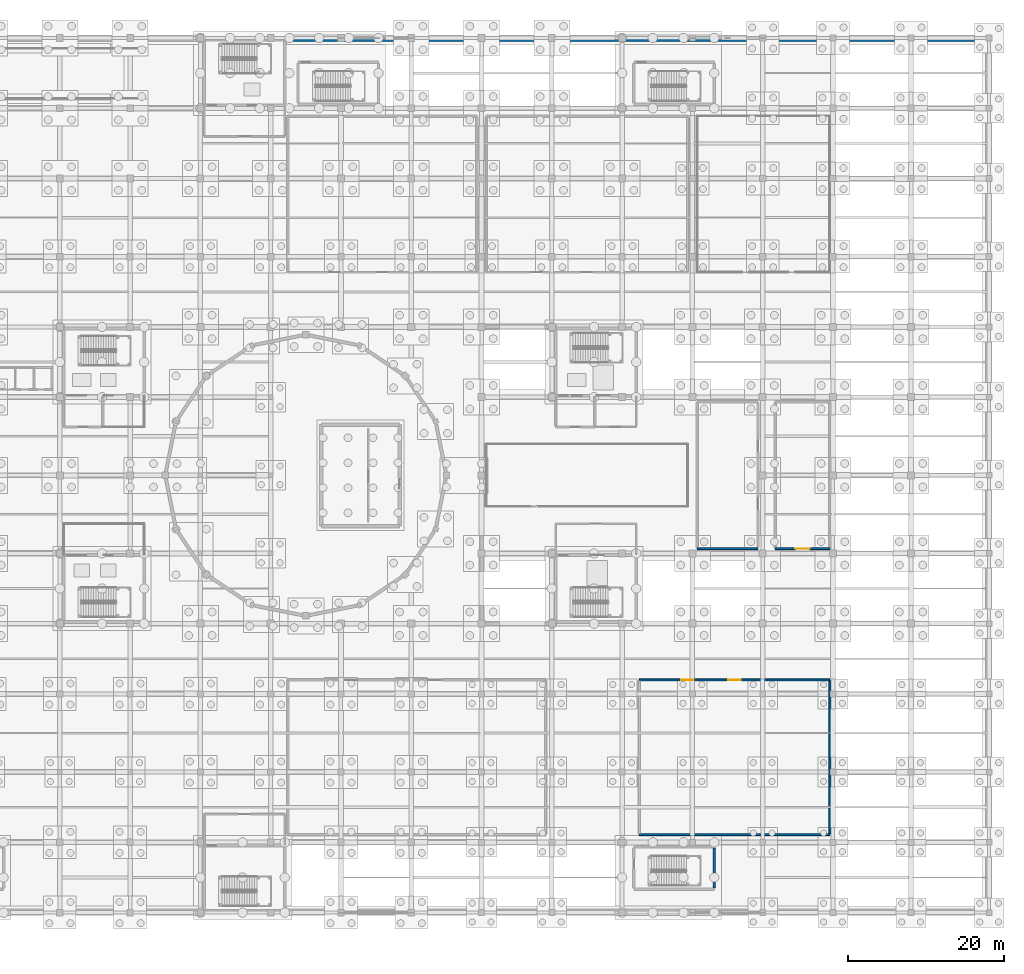
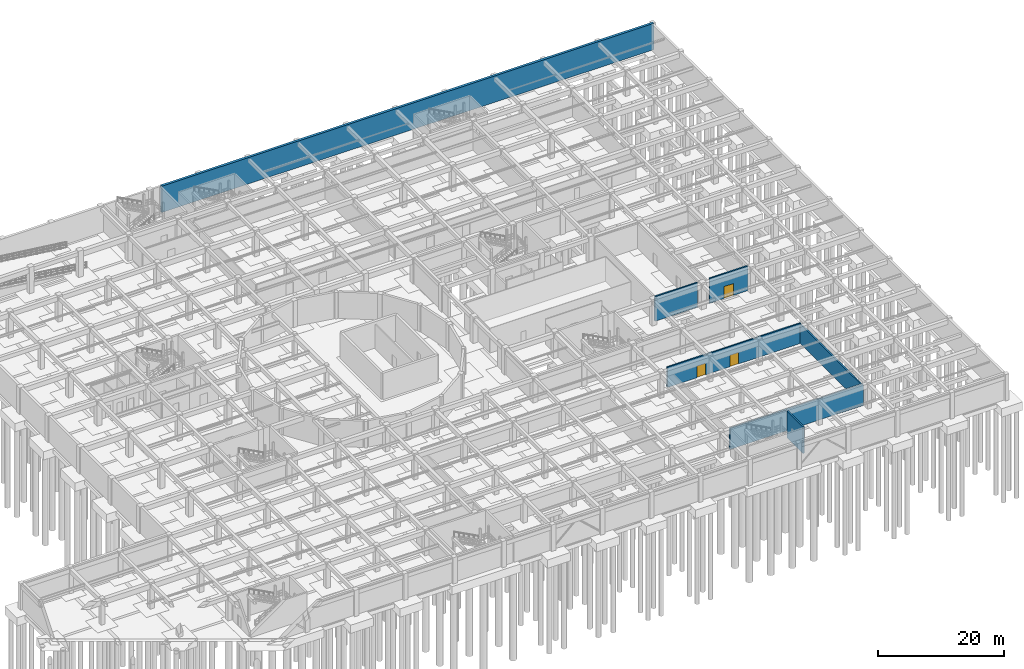
# One storey, part 48 of 62: 7 walls, 3 doors, 3 openings.
"""IFC4 building model written with IfcOpenShell, lengths in metres."""

from ifc_helpers import new_model, si_unit, direction, frame, frame_2d, origin, place, context, subcontext, project, spatial, rectangle, extrude, material, layer, layer_set, type_object, element, fill, save


model = new_model("IFC4")

# Units and contexts
model_context = context("Model", 3, precision=1e-05, world=origin(), true_north=direction((0.0, 1.0)))
body_context = subcontext(model_context, "Body", "Model", "MODEL_VIEW")
ifc_project = project(units=[si_unit("LENGTHUNIT", "METRE"), si_unit("AREAUNIT", "SQUARE_METRE"), si_unit("VOLUMEUNIT", "CUBIC_METRE"), si_unit("PLANEANGLEUNIT", "RADIAN"), si_unit("MASSUNIT", "GRAM", prefix="KILO")], contexts=[model_context])

# Site, building, storey
site_placement = place(None, origin())
site = spatial("IfcSite", under=ifc_project, at=site_placement, CompositionType="ELEMENT")
building_placement = place(site_placement, origin())
building = spatial("IfcBuilding", under=site, at=building_placement, Name="Miravela Opera House", CompositionType="ELEMENT")
storey_placement = place(building_placement, frame((0.0, 0.0, -5.10009765625)))
storey = spatial("IfcBuildingStorey", under=building, at=storey_placement, Name="B01", CompositionType="ELEMENT", Elevation=-5.10009765625)

# Wall
ifc_material_1 = material(Name="Firefighting lobby compartment wall")
ifc_layer_1 = layer(ifc_material_1, 0.25)
ifc_layer_set_1 = layer_set([ifc_layer_1])
wall_type_1 = type_object("IfcWallType", Name="ARC-PT-220", PredefinedType="PARTITIONING", material=ifc_layer_set_1)
wall_1_placement = place(storey_placement, frame((126.60009765625, 46.60009765625, 0.0), z_axis=(0.0, 0.0, 1.0), x_axis=(1.0, 0.0, 0.0)))
element("IfcWall", 1, at=wall_1_placement, inside=storey, type_object=wall_type_1, Name="Musical Instrument Climate Vault Partition South", PredefinedType="PARTITIONING", context=body_context, shape_type="SweptSolid", body=[
    extrude(rectangle(XDim=7.7998046875, YDim=0.25, at=frame_2d((3.89990234375, 0.0))), origin(), (0.0, 0.0, 1.0), 4.780029296875),
])

# Wall, opening, door
wall_2_placement = place(storey_placement, frame((136.60009765625, 46.60009765625, 0.0), z_axis=(0.0, 0.0, 1.0), x_axis=(1.0, 0.0, 0.0)))
wall_2 = element("IfcWall", 2, at=wall_2_placement, inside=storey, type_object=wall_type_1, Name="Stage Wagon and Scenic Store Partition South", PredefinedType="PARTITIONING", context=body_context, shape_type="SweptSolid", body=[
    extrude(rectangle(XDim=7.0, YDim=0.25, at=frame_2d((3.5, 0.0))), origin(), (0.0, 0.0, 1.0), 4.780029296875),
])
opening_1_placement = place(wall_2_placement, frame((2.60009765625, 0.0, 0.0)))
opening_1 = element("IfcOpeningElement", 3, at=opening_1_placement, cuts=wall_2, Name="Opening FD-05", PredefinedType="OPENING", context=body_context, shape_type="SweptSolid", body=[
    extrude(rectangle(XDim=1.800048828125, YDim=2.300048828125, at=frame_2d((0.89990234375, 1.14990234375))), frame((0.0, 0.135009765625, 0.0), z_axis=(0.0, -1.0, 0.0), x_axis=(1.0, 0.0, 0.0)), (0.0, 0.0, 1.0), 0.27001953125),
])
ifc_material_2 = material(Name="Heavy acoustic EI 120 stage/auditorium pair")
door_type_1 = type_object("IfcDoorType", Name="ARC-FD-1800X2300", OperationType="NOTDEFINED", PredefinedType="DOOR", material=ifc_material_2)
door_1_placement = place(opening_1_placement, origin())
door_1 = element("IfcDoor", 4, at=door_1_placement, inside=storey, type_object=door_type_1, Name="Stage Wagon and Scenic Store Entry Door IDR-B01-0075", OperationType="DOUBLE_DOOR_SINGLE_SWING", OverallHeight=2.300048828125, OverallWidth=1.800048828125, PredefinedType="DOOR", context=body_context, shape_type="SweptSolid", body=[
    extrude(rectangle(XDim=1.800048828125, YDim=2.300048828125, at=frame_2d((0.89990234375, 1.14990234375))), frame((0.0, 0.02490234375, 0.0), z_axis=(0.0, -1.0, 0.0), x_axis=(1.0, 0.0, 0.0)), (0.0, 0.0, 1.0), 0.050048828125),
])
fill(opening_1, door_1)

# Wall
wall_3_placement = place(storey_placement, frame((119.199951171875, 10.0, 0.0), z_axis=(0.0, 0.0, 1.0), x_axis=(1.0, 0.0, 0.0)))
element("IfcWall", 5, at=wall_3_placement, inside=storey, type_object=wall_type_1, Name="Medium-Voltage Electrical Substation and Generator Hall Partition South", PredefinedType="PARTITIONING", context=body_context, shape_type="SweptSolid", body=[
    extrude(rectangle(XDim=24.400146484375, YDim=0.25, at=frame_2d((12.2001953125, 0.0))), origin(), (0.0, 0.0, 1.0), 4.130126953125),
])

# Wall, openings, doors
wall_4_placement = place(storey_placement, frame((119.199951171875, 29.800048828125, 0.0), z_axis=(0.0, 0.0, 1.0), x_axis=(1.0, 0.0, 0.0)))
wall_4 = element("IfcWall", 6, at=wall_4_placement, inside=storey, type_object=wall_type_1, Name="Medium-Voltage Electrical Substation and Generator Hall Partition North", PredefinedType="PARTITIONING", context=body_context, shape_type="SweptSolid", body=[
    extrude(rectangle(XDim=24.400146484375, YDim=0.25, at=frame_2d((12.2001953125, 0.0))), origin(), (0.0, 0.0, 1.0), 3.91015625),
])
opening_2_placement = place(wall_4_placement, frame((11.39990234375, 0.0, 0.0)))
opening_2 = element("IfcOpeningElement", 7, at=opening_2_placement, cuts=wall_4, Name="Opening FD-04", PredefinedType="OPENING", context=body_context, shape_type="SweptSolid", body=[
    extrude(rectangle(XDim=1.60009765625, YDim=2.25, at=frame_2d((0.800048828125, 1.125))), frame((0.0, 0.135009765625, 0.0), z_axis=(0.0, -1.0, 0.0), x_axis=(1.0, 0.0, 0.0)), (0.0, 0.0, 1.0), 0.27001953125),
])
opening_3_placement = place(wall_4_placement, frame((5.367919921875, 0.0, 0.0)))
opening_3 = element("IfcOpeningElement", 8, at=opening_3_placement, cuts=wall_4, Name="Opening FD-04", PredefinedType="OPENING", context=body_context, shape_type="SweptSolid", body=[
    extrude(rectangle(XDim=1.60009765625, YDim=2.25, at=frame_2d((0.800048828125, 1.125))), frame((0.0, 0.135009765625, 0.0), z_axis=(0.0, -1.0, 0.0), x_axis=(1.0, 0.0, 0.0)), (0.0, 0.0, 1.0), 0.27001953125),
])
ifc_material_3 = material(Name="Fire-rated rehearsal/vomitory double door")
door_type_2 = type_object("IfcDoorType", Name="ARC-FD-1600X2250", OperationType="NOTDEFINED", PredefinedType="DOOR", material=ifc_material_3)
door_2_placement = place(opening_2_placement, origin())
door_2 = element("IfcDoor", 9, at=door_2_placement, inside=storey, type_object=door_type_2, Name="Medium-Voltage Electrical Substation and Generator Hall Entry Door IDR-B01-0078", OperationType="DOUBLE_DOOR_SINGLE_SWING", OverallHeight=2.25, OverallWidth=1.60009765625, PredefinedType="DOOR", context=body_context, shape_type="SweptSolid", body=[
    extrude(rectangle(XDim=1.60009765625, YDim=2.25, at=frame_2d((0.800048828125, 1.125))), frame((0.0, 0.02490234375, 0.0), z_axis=(0.0, -1.0, 0.0), x_axis=(1.0, 0.0, 0.0)), (0.0, 0.0, 1.0), 0.050048828125),
])
fill(opening_2, door_2)
door_3_placement = place(opening_3_placement, origin())
door_3 = element("IfcDoor", 10, at=door_3_placement, inside=storey, type_object=door_type_2, Name="Medium-Voltage Electrical Substation and Generator Hall Secondary Exit Door IDR-B01-0079", OperationType="DOUBLE_DOOR_SINGLE_SWING", OverallHeight=2.25, OverallWidth=1.60009765625, PredefinedType="DOOR", context=body_context, shape_type="SweptSolid", body=[
    extrude(rectangle(XDim=1.60009765625, YDim=2.25, at=frame_2d((0.800048828125, 1.125))), frame((0.0, 0.02490234375, 0.0), z_axis=(0.0, -1.0, 0.0), x_axis=(1.0, 0.0, 0.0)), (0.0, 0.0, 1.0), 0.050048828125),
])
fill(opening_3, door_3)

# Walls
wall_5_placement = place(storey_placement, frame((143.60009765625, 10.125, 0.0), z_axis=(0.0, 0.0, 1.0), x_axis=(0.0, 1.0, 0.0)))
element("IfcWall", 11, at=wall_5_placement, inside=storey, type_object=wall_type_1, Name="Medium-Voltage Electrical Substation and Generator Hall Partition East", PredefinedType="PARTITIONING", context=body_context, shape_type="SweptSolid", body=[
    extrude(rectangle(XDim=19.550048828125, YDim=0.25, at=frame_2d((9.77490234375, 0.0))), origin(), (0.0, 0.0, 1.0), 3.760009765625),
])
ifc_material_4 = material(Name="Concrete C40/50", Category="concrete")
ifc_layer_2 = layer(ifc_material_4, 0.449951171875)
ifc_layer_set_2 = layer_set([ifc_layer_2])
wall_type_2 = type_object("IfcWallType", Name="STR-WALL-RET-450", PredefinedType="SOLIDWALL", material=ifc_layer_set_2)
wall_6_placement = place(storey_placement, frame((74.0, 111.77490234375, 0.0), z_axis=(0.0, 0.0, 1.0), x_axis=(1.0, 0.0, 0.0)))
element("IfcWall", 12, at=wall_6_placement, inside=storey, type_object=wall_type_2, Name="Basement Retaining Wall B01-RET-N1E", PredefinedType="SOLIDWALL", context=body_context, shape_type="SweptSolid", body=[
    extrude(rectangle(XDim=90.0, YDim=0.449951171875, at=frame_2d((45.0, 0.0))), origin(), (0.0, 0.0, 1.0), 5.10009765625),
])
ifc_material_5 = material(Name="Concrete C35/45", Category="concrete")
ifc_layer_3 = layer(ifc_material_5, 0.300048828125)
ifc_layer_set_3 = layer_set([ifc_layer_3])
wall_type_3 = type_object("IfcWallType", Name="STR-WALL-WING-300", PredefinedType="SHEAR", material=ifc_layer_set_3)
wall_7_placement = place(storey_placement, frame((128.800048828125, 3.14990234375, 0.0), z_axis=(0.0, 0.0, 1.0), x_axis=(0.0, 1.0, 0.0)))
element("IfcWall", 13, at=wall_7_placement, inside=storey, type_object=wall_type_3, Name="Core ST-10 Shear Wall East (B01)", PredefinedType="SHEAR", context=body_context, shape_type="SweptSolid", body=[
    extrude(rectangle(XDim=5.10009765625, YDim=0.300048828125, at=frame_2d((2.550048828125, 0.0))), origin(), (0.0, 0.0, 1.0), 5.10009765625),
])

save(model, "model.ifc")
